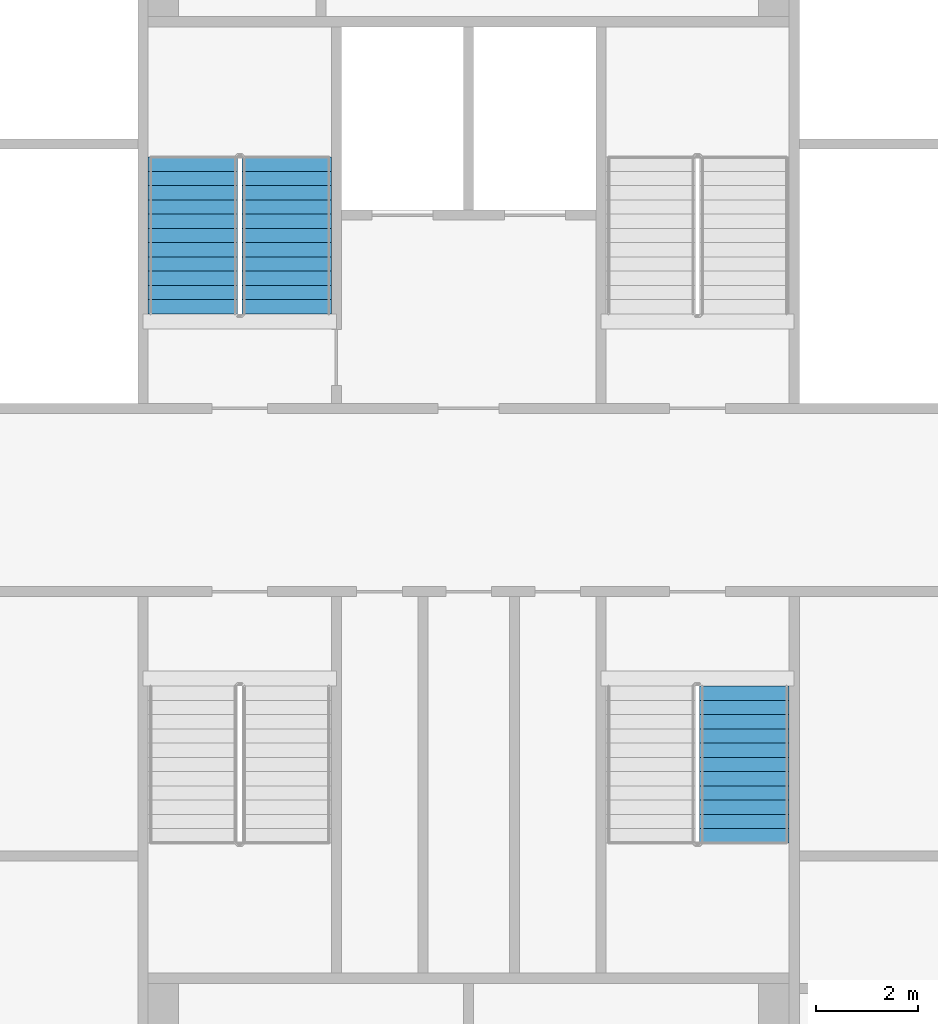
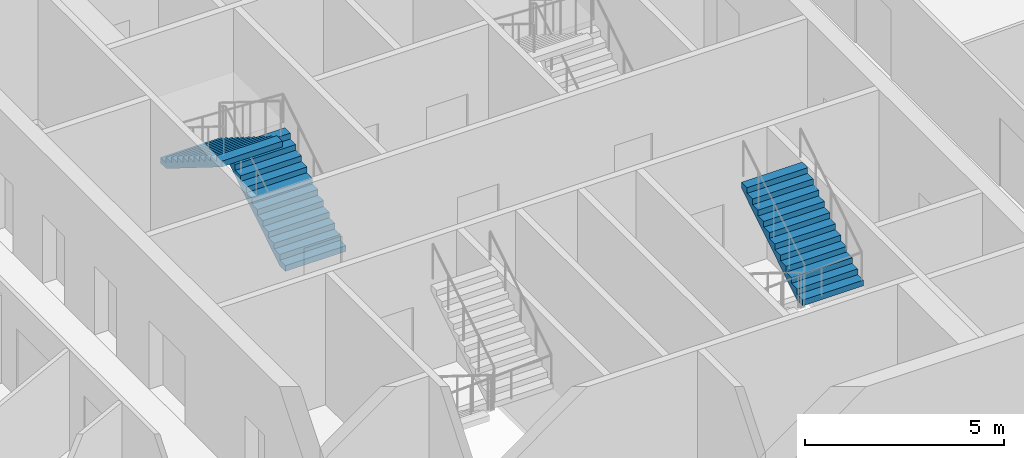
# One storey, part 30 of 36: 3 stair flights, 2 elements without a shape of their own.
"""IFC4 building model written with IfcOpenShell, lengths in metres."""

from ifc_helpers import new_model, si_unit, direction, frame, origin, place, context, subcontext, project, spatial, faceted_brep, material, type_object, element, aggregate, save


model = new_model("IFC4")

# Units and contexts
model_context = context("Model", 3, precision=1e-05, world=origin(), true_north=direction((0.0, 1.0)))
body_context = subcontext(model_context, "Body", "Model", "MODEL_VIEW")
ifc_project = project(units=[si_unit("LENGTHUNIT", "METRE"), si_unit("AREAUNIT", "SQUARE_METRE"), si_unit("VOLUMEUNIT", "CUBIC_METRE"), si_unit("PLANEANGLEUNIT", "RADIAN"), si_unit("MASSUNIT", "GRAM", prefix="KILO")], contexts=[model_context])

# Site, building, storey
site_placement = place(None, origin())
site = spatial("IfcSite", under=ifc_project, at=site_placement, CompositionType="ELEMENT")
building_placement = place(site_placement, origin())
building = spatial("IfcBuilding", under=site, at=building_placement, Name="Tarsis Ring Headquarters", CompositionType="ELEMENT")
storey_placement = place(building_placement, frame((0.0, 0.0, 386.0)))
storey = spatial("IfcBuildingStorey", under=building, at=storey_placement, Name="L91", CompositionType="ELEMENT", Elevation=386.0)

# Stair, stair flights
ifc_material_1 = material(Name="Core stair 1760")
stair_type = type_object("IfcStairType", Name="Core stair 1760", PredefinedType="HALF_TURN_STAIR", material=ifc_material_1)
stair_1_placement = place(storey_placement, origin())
stair_1 = element("IfcStair", 1, at=stair_1_placement, inside=storey, type_object=stair_type, Name="L91 Firefighting stair", PredefinedType="HALF_TURN_STAIR")
ifc_material_2 = material(Name="Concrete C40/50", Category="concrete")
stair_flight_type = type_object("IfcStairFlightType", Name="Core stair flight 1760", PredefinedType="STRAIGHT", material=ifc_material_2)
stair_flight_1_placement = place(storey_placement, frame((-3.580078125, 3.659912109375, 0.0), z_axis=(0.0, 0.0, 1.0), x_axis=(0.0, 1.0, 0.0)))
stair_flight_1 = element("IfcStairFlight", 2, at=stair_flight_1_placement, type_object=stair_flight_type, Name="Stair ST1 flight 1", NumberOfRisers=12, NumberOfTreads=11, PredefinedType="STRAIGHT", RiserHeight=0.175, TreadLength=0.28, context=body_context, shape_type="Brep", body=[
    faceted_brep([(0.0, 0.8798828125, 0.0), (0.0, 0.8798828125, 0.175048828125), (0.280029296875, 0.8798828125, 0.175048828125), (0.280029296875, 0.8798828125, 0.35009765625), (0.56005859375, 0.8798828125, 0.35009765625), (0.56005859375, 0.8798828125, 0.52490234375), (0.840087890625, 0.8798828125, 0.52490234375), (0.840087890625, 0.8798828125, 0.699951171875), (1.1201171875, 0.8798828125, 0.699951171875), (1.1201171875, 0.8798828125, 0.875), (1.39990234375, 0.8798828125, 0.875), (1.39990234375, 0.8798828125, 1.050048828125), (1.679931640625, 0.8798828125, 1.050048828125), (1.679931640625, 0.8798828125, 1.22509765625), (1.9599609375, 0.8798828125, 1.22509765625), (1.9599609375, 0.8798828125, 1.39990234375), (2.239990234375, 0.8798828125, 1.39990234375), (2.239990234375, 0.8798828125, 1.574951171875), (2.52001953125, 0.8798828125, 1.574951171875), (2.52001953125, 0.8798828125, 1.75), (2.800048828125, 0.8798828125, 1.75), (2.800048828125, 0.8798828125, 1.925048828125), (3.080078125, 0.8798828125, 1.925048828125), (3.080078125, 0.8798828125, 1.748291015625), (0.28271484375, 0.8798828125, 0.0), (0.28271484375, -0.8798828125, 0.0), (3.080078125, -0.8798828125, 1.748291015625), (3.080078125, -0.8798828125, 1.925048828125), (2.800048828125, -0.8798828125, 1.925048828125), (2.800048828125, -0.8798828125, 1.75), (2.52001953125, -0.8798828125, 1.75), (2.52001953125, -0.8798828125, 1.574951171875), (2.239990234375, -0.8798828125, 1.574951171875), (2.239990234375, -0.8798828125, 1.39990234375), (1.9599609375, -0.8798828125, 1.39990234375), (1.9599609375, -0.8798828125, 1.22509765625), (1.679931640625, -0.8798828125, 1.22509765625), (1.679931640625, -0.8798828125, 1.050048828125), (1.39990234375, -0.8798828125, 1.050048828125), (1.39990234375, -0.8798828125, 0.875), (1.1201171875, -0.8798828125, 0.875), (1.1201171875, -0.8798828125, 0.699951171875), (0.840087890625, -0.8798828125, 0.699951171875), (0.840087890625, -0.8798828125, 0.52490234375), (0.56005859375, -0.8798828125, 0.52490234375), (0.56005859375, -0.8798828125, 0.35009765625), (0.280029296875, -0.8798828125, 0.35009765625), (0.280029296875, -0.8798828125, 0.175048828125), (0.0, -0.8798828125, 0.175048828125), (0.0, -0.8798828125, 0.0), (0.0, -0.43994140625, 0.175048828125), (0.0, -0.43994140625, 0.0), (0.0, 0.0, 0.175048828125), (0.0, 0.0, 0.0), (0.0, 0.43994140625, 0.175048828125), (0.0, 0.43994140625, 0.0), (0.280029296875, -0.43994140625, 0.175048828125), (0.280029296875, 0.0, 0.175048828125), (0.280029296875, 0.43994140625, 0.175048828125), (0.280029296875, -0.43994140625, 0.35009765625), (0.280029296875, 0.0, 0.35009765625), (0.280029296875, 0.43994140625, 0.35009765625), (0.56005859375, -0.43994140625, 0.35009765625), (0.56005859375, 0.0, 0.35009765625), (0.56005859375, 0.43994140625, 0.35009765625), (0.56005859375, -0.43994140625, 0.52490234375), (0.56005859375, 0.0, 0.52490234375), (0.56005859375, 0.43994140625, 0.52490234375), (0.840087890625, -0.43994140625, 0.52490234375), (0.840087890625, 0.0, 0.52490234375), (0.840087890625, 0.43994140625, 0.52490234375), (0.840087890625, -0.43994140625, 0.699951171875), (0.840087890625, 0.0, 0.699951171875), (0.840087890625, 0.43994140625, 0.699951171875), (1.1201171875, -0.43994140625, 0.699951171875), (1.1201171875, 0.0, 0.699951171875), (1.1201171875, 0.43994140625, 0.699951171875), (1.1201171875, -0.43994140625, 0.875), (1.1201171875, 0.0, 0.875), (1.1201171875, 0.43994140625, 0.875), (1.39990234375, -0.43994140625, 0.875), (1.39990234375, 0.0, 0.875), (1.39990234375, 0.43994140625, 0.875), (1.39990234375, -0.43994140625, 1.050048828125), (1.39990234375, 0.0, 1.050048828125), (1.39990234375, 0.43994140625, 1.050048828125), (1.679931640625, -0.43994140625, 1.050048828125), (1.679931640625, 0.0, 1.050048828125), (1.679931640625, 0.43994140625, 1.050048828125), (1.679931640625, -0.43994140625, 1.22509765625), (1.679931640625, 0.0, 1.22509765625), (1.679931640625, 0.43994140625, 1.22509765625), (1.9599609375, -0.43994140625, 1.22509765625), (1.9599609375, 0.0, 1.22509765625), (1.9599609375, 0.43994140625, 1.22509765625), (1.9599609375, -0.43994140625, 1.39990234375), (1.9599609375, 0.0, 1.39990234375), (1.9599609375, 0.43994140625, 1.39990234375), (2.239990234375, -0.43994140625, 1.39990234375), (2.239990234375, 0.0, 1.39990234375), (2.239990234375, 0.43994140625, 1.39990234375), (2.239990234375, -0.43994140625, 1.574951171875), (2.239990234375, 0.0, 1.574951171875), (2.239990234375, 0.43994140625, 1.574951171875), (2.52001953125, -0.43994140625, 1.574951171875), (2.52001953125, 0.0, 1.574951171875), (2.52001953125, 0.43994140625, 1.574951171875), (2.52001953125, -0.43994140625, 1.75), (2.52001953125, 0.0, 1.75), (2.52001953125, 0.43994140625, 1.75), (2.800048828125, -0.43994140625, 1.75), (2.800048828125, 0.0, 1.75), (2.800048828125, 0.43994140625, 1.75), (2.800048828125, -0.43994140625, 1.925048828125), (2.800048828125, 0.0, 1.925048828125), (2.800048828125, 0.43994140625, 1.925048828125), (3.080078125, -0.43994140625, 1.925048828125), (3.080078125, 0.0, 1.925048828125), (3.080078125, 0.43994140625, 1.925048828125), (3.080078125, -0.43994140625, 1.748291015625), (3.080078125, 0.0, 1.748291015625), (3.080078125, 0.43994140625, 1.748291015625), (0.28271484375, -0.43994140625, 0.0), (0.28271484375, 0.0, 0.0), (0.28271484375, 0.43994140625, 0.0)], [[[0, 1, 2, 3, 4, 5, 6, 7, 8, 9, 10, 11, 12, 13, 14, 15, 16, 17, 18, 19, 20, 21, 22, 23, 24]], [[25, 26, 27, 28, 29, 30, 31, 32, 33, 34, 35, 36, 37, 38, 39, 40, 41, 42, 43, 44, 45, 46, 47, 48, 49]], [[49, 48, 50, 51]], [[51, 50, 52, 53]], [[53, 52, 54, 55]], [[55, 54, 1, 0]], [[48, 47, 56, 50]], [[50, 56, 57, 52]], [[52, 57, 58, 54]], [[54, 58, 2, 1]], [[47, 46, 59, 56]], [[56, 59, 60, 57]], [[57, 60, 61, 58]], [[58, 61, 3, 2]], [[46, 45, 62, 59]], [[59, 62, 63, 60]], [[60, 63, 64, 61]], [[61, 64, 4, 3]], [[45, 44, 65, 62]], [[62, 65, 66, 63]], [[63, 66, 67, 64]], [[64, 67, 5, 4]], [[44, 43, 68, 65]], [[65, 68, 69, 66]], [[66, 69, 70, 67]], [[67, 70, 6, 5]], [[43, 42, 71, 68]], [[68, 71, 72, 69]], [[69, 72, 73, 70]], [[70, 73, 7, 6]], [[42, 41, 74, 71]], [[71, 74, 75, 72]], [[72, 75, 76, 73]], [[73, 76, 8, 7]], [[41, 40, 77, 74]], [[74, 77, 78, 75]], [[75, 78, 79, 76]], [[76, 79, 9, 8]], [[40, 39, 80, 77]], [[77, 80, 81, 78]], [[78, 81, 82, 79]], [[79, 82, 10, 9]], [[39, 38, 83, 80]], [[80, 83, 84, 81]], [[81, 84, 85, 82]], [[82, 85, 11, 10]], [[38, 37, 86, 83]], [[83, 86, 87, 84]], [[84, 87, 88, 85]], [[85, 88, 12, 11]], [[37, 36, 89, 86]], [[86, 89, 90, 87]], [[87, 90, 91, 88]], [[88, 91, 13, 12]], [[36, 35, 92, 89]], [[89, 92, 93, 90]], [[90, 93, 94, 91]], [[91, 94, 14, 13]], [[35, 34, 95, 92]], [[92, 95, 96, 93]], [[93, 96, 97, 94]], [[94, 97, 15, 14]], [[34, 33, 98, 95]], [[95, 98, 99, 96]], [[96, 99, 100, 97]], [[97, 100, 16, 15]], [[33, 32, 101, 98]], [[98, 101, 102, 99]], [[99, 102, 103, 100]], [[100, 103, 17, 16]], [[32, 31, 104, 101]], [[101, 104, 105, 102]], [[102, 105, 106, 103]], [[103, 106, 18, 17]], [[31, 30, 107, 104]], [[104, 107, 108, 105]], [[105, 108, 109, 106]], [[106, 109, 19, 18]], [[30, 29, 110, 107]], [[107, 110, 111, 108]], [[108, 111, 112, 109]], [[109, 112, 20, 19]], [[29, 28, 113, 110]], [[110, 113, 114, 111]], [[111, 114, 115, 112]], [[112, 115, 21, 20]], [[28, 27, 116, 113]], [[113, 116, 117, 114]], [[114, 117, 118, 115]], [[115, 118, 22, 21]], [[27, 26, 119, 116]], [[116, 119, 120, 117]], [[117, 120, 121, 118]], [[118, 121, 23, 22]], [[26, 25, 122, 119]], [[119, 122, 123, 120]], [[120, 123, 124, 121]], [[121, 124, 24, 23]], [[25, 49, 51, 122]], [[122, 51, 53, 123]], [[123, 53, 55, 124]], [[124, 55, 0, 24]]]),
])
stair_flight_2_placement = place(storey_placement, frame((-5.419921875, 6.739990234375, 2.10009765625), z_axis=(0.0, 0.0, 1.0), x_axis=(0.0, -1.0, 0.0)))
stair_flight_2 = element("IfcStairFlight", 3, at=stair_flight_2_placement, type_object=stair_flight_type, Name="Stair ST1 flight 2", NumberOfRisers=12, NumberOfTreads=11, PredefinedType="STRAIGHT", RiserHeight=0.175, TreadLength=0.28, context=body_context, shape_type="Brep", body=[
    faceted_brep([(0.0, 0.8798828125, 0.0), (0.0, 0.8798828125, 0.175048828125), (0.280029296875, 0.8798828125, 0.175048828125), (0.280029296875, 0.8798828125, 0.35009765625), (0.56005859375, 0.8798828125, 0.35009765625), (0.56005859375, 0.8798828125, 0.52490234375), (0.840087890625, 0.8798828125, 0.52490234375), (0.840087890625, 0.8798828125, 0.699951171875), (1.1201171875, 0.8798828125, 0.699951171875), (1.1201171875, 0.8798828125, 0.875), (1.39990234375, 0.8798828125, 0.875), (1.39990234375, 0.8798828125, 1.050048828125), (1.679931640625, 0.8798828125, 1.050048828125), (1.679931640625, 0.8798828125, 1.22509765625), (1.9599609375, 0.8798828125, 1.22509765625), (1.9599609375, 0.8798828125, 1.39990234375), (2.239990234375, 0.8798828125, 1.39990234375), (2.239990234375, 0.8798828125, 1.574951171875), (2.52001953125, 0.8798828125, 1.574951171875), (2.52001953125, 0.8798828125, 1.75), (2.800048828125, 0.8798828125, 1.75), (2.800048828125, 0.8798828125, 1.925048828125), (3.080078125, 0.8798828125, 1.925048828125), (3.080078125, 0.8798828125, 1.748291015625), (0.28271484375, 0.8798828125, 0.0), (0.28271484375, -0.8798828125, 0.0), (3.080078125, -0.8798828125, 1.748291015625), (3.080078125, -0.8798828125, 1.925048828125), (2.800048828125, -0.8798828125, 1.925048828125), (2.800048828125, -0.8798828125, 1.75), (2.52001953125, -0.8798828125, 1.75), (2.52001953125, -0.8798828125, 1.574951171875), (2.239990234375, -0.8798828125, 1.574951171875), (2.239990234375, -0.8798828125, 1.39990234375), (1.9599609375, -0.8798828125, 1.39990234375), (1.9599609375, -0.8798828125, 1.22509765625), (1.679931640625, -0.8798828125, 1.22509765625), (1.679931640625, -0.8798828125, 1.050048828125), (1.39990234375, -0.8798828125, 1.050048828125), (1.39990234375, -0.8798828125, 0.875), (1.1201171875, -0.8798828125, 0.875), (1.1201171875, -0.8798828125, 0.699951171875), (0.840087890625, -0.8798828125, 0.699951171875), (0.840087890625, -0.8798828125, 0.52490234375), (0.56005859375, -0.8798828125, 0.52490234375), (0.56005859375, -0.8798828125, 0.35009765625), (0.280029296875, -0.8798828125, 0.35009765625), (0.280029296875, -0.8798828125, 0.175048828125), (0.0, -0.8798828125, 0.175048828125), (0.0, -0.8798828125, 0.0), (0.0, -0.43994140625, 0.175048828125), (0.0, -0.43994140625, 0.0), (0.0, 0.0, 0.175048828125), (0.0, 0.0, 0.0), (0.0, 0.43994140625, 0.175048828125), (0.0, 0.43994140625, 0.0), (0.280029296875, -0.43994140625, 0.175048828125), (0.280029296875, 0.0, 0.175048828125), (0.280029296875, 0.43994140625, 0.175048828125), (0.280029296875, -0.43994140625, 0.35009765625), (0.280029296875, 0.0, 0.35009765625), (0.280029296875, 0.43994140625, 0.35009765625), (0.56005859375, -0.43994140625, 0.35009765625), (0.56005859375, 0.0, 0.35009765625), (0.56005859375, 0.43994140625, 0.35009765625), (0.56005859375, -0.43994140625, 0.52490234375), (0.56005859375, 0.0, 0.52490234375), (0.56005859375, 0.43994140625, 0.52490234375), (0.840087890625, -0.43994140625, 0.52490234375), (0.840087890625, 0.0, 0.52490234375), (0.840087890625, 0.43994140625, 0.52490234375), (0.840087890625, -0.43994140625, 0.699951171875), (0.840087890625, 0.0, 0.699951171875), (0.840087890625, 0.43994140625, 0.699951171875), (1.1201171875, -0.43994140625, 0.699951171875), (1.1201171875, 0.0, 0.699951171875), (1.1201171875, 0.43994140625, 0.699951171875), (1.1201171875, -0.43994140625, 0.875), (1.1201171875, 0.0, 0.875), (1.1201171875, 0.43994140625, 0.875), (1.39990234375, -0.43994140625, 0.875), (1.39990234375, 0.0, 0.875), (1.39990234375, 0.43994140625, 0.875), (1.39990234375, -0.43994140625, 1.050048828125), (1.39990234375, 0.0, 1.050048828125), (1.39990234375, 0.43994140625, 1.050048828125), (1.679931640625, -0.43994140625, 1.050048828125), (1.679931640625, 0.0, 1.050048828125), (1.679931640625, 0.43994140625, 1.050048828125), (1.679931640625, -0.43994140625, 1.22509765625), (1.679931640625, 0.0, 1.22509765625), (1.679931640625, 0.43994140625, 1.22509765625), (1.9599609375, -0.43994140625, 1.22509765625), (1.9599609375, 0.0, 1.22509765625), (1.9599609375, 0.43994140625, 1.22509765625), (1.9599609375, -0.43994140625, 1.39990234375), (1.9599609375, 0.0, 1.39990234375), (1.9599609375, 0.43994140625, 1.39990234375), (2.239990234375, -0.43994140625, 1.39990234375), (2.239990234375, 0.0, 1.39990234375), (2.239990234375, 0.43994140625, 1.39990234375), (2.239990234375, -0.43994140625, 1.574951171875), (2.239990234375, 0.0, 1.574951171875), (2.239990234375, 0.43994140625, 1.574951171875), (2.52001953125, -0.43994140625, 1.574951171875), (2.52001953125, 0.0, 1.574951171875), (2.52001953125, 0.43994140625, 1.574951171875), (2.52001953125, -0.43994140625, 1.75), (2.52001953125, 0.0, 1.75), (2.52001953125, 0.43994140625, 1.75), (2.800048828125, -0.43994140625, 1.75), (2.800048828125, 0.0, 1.75), (2.800048828125, 0.43994140625, 1.75), (2.800048828125, -0.43994140625, 1.925048828125), (2.800048828125, 0.0, 1.925048828125), (2.800048828125, 0.43994140625, 1.925048828125), (3.080078125, -0.43994140625, 1.925048828125), (3.080078125, 0.0, 1.925048828125), (3.080078125, 0.43994140625, 1.925048828125), (3.080078125, -0.43994140625, 1.748291015625), (3.080078125, 0.0, 1.748291015625), (3.080078125, 0.43994140625, 1.748291015625), (0.28271484375, -0.43994140625, 0.0), (0.28271484375, 0.0, 0.0), (0.28271484375, 0.43994140625, 0.0)], [[[0, 1, 2, 3, 4, 5, 6, 7, 8, 9, 10, 11, 12, 13, 14, 15, 16, 17, 18, 19, 20, 21, 22, 23, 24]], [[25, 26, 27, 28, 29, 30, 31, 32, 33, 34, 35, 36, 37, 38, 39, 40, 41, 42, 43, 44, 45, 46, 47, 48, 49]], [[49, 48, 50, 51]], [[51, 50, 52, 53]], [[53, 52, 54, 55]], [[55, 54, 1, 0]], [[48, 47, 56, 50]], [[50, 56, 57, 52]], [[52, 57, 58, 54]], [[54, 58, 2, 1]], [[47, 46, 59, 56]], [[56, 59, 60, 57]], [[57, 60, 61, 58]], [[58, 61, 3, 2]], [[46, 45, 62, 59]], [[59, 62, 63, 60]], [[60, 63, 64, 61]], [[61, 64, 4, 3]], [[45, 44, 65, 62]], [[62, 65, 66, 63]], [[63, 66, 67, 64]], [[64, 67, 5, 4]], [[44, 43, 68, 65]], [[65, 68, 69, 66]], [[66, 69, 70, 67]], [[67, 70, 6, 5]], [[43, 42, 71, 68]], [[68, 71, 72, 69]], [[69, 72, 73, 70]], [[70, 73, 7, 6]], [[42, 41, 74, 71]], [[71, 74, 75, 72]], [[72, 75, 76, 73]], [[73, 76, 8, 7]], [[41, 40, 77, 74]], [[74, 77, 78, 75]], [[75, 78, 79, 76]], [[76, 79, 9, 8]], [[40, 39, 80, 77]], [[77, 80, 81, 78]], [[78, 81, 82, 79]], [[79, 82, 10, 9]], [[39, 38, 83, 80]], [[80, 83, 84, 81]], [[81, 84, 85, 82]], [[82, 85, 11, 10]], [[38, 37, 86, 83]], [[83, 86, 87, 84]], [[84, 87, 88, 85]], [[85, 88, 12, 11]], [[37, 36, 89, 86]], [[86, 89, 90, 87]], [[87, 90, 91, 88]], [[88, 91, 13, 12]], [[36, 35, 92, 89]], [[89, 92, 93, 90]], [[90, 93, 94, 91]], [[91, 94, 14, 13]], [[35, 34, 95, 92]], [[92, 95, 96, 93]], [[93, 96, 97, 94]], [[94, 97, 15, 14]], [[34, 33, 98, 95]], [[95, 98, 99, 96]], [[96, 99, 100, 97]], [[97, 100, 16, 15]], [[33, 32, 101, 98]], [[98, 101, 102, 99]], [[99, 102, 103, 100]], [[100, 103, 17, 16]], [[32, 31, 104, 101]], [[101, 104, 105, 102]], [[102, 105, 106, 103]], [[103, 106, 18, 17]], [[31, 30, 107, 104]], [[104, 107, 108, 105]], [[105, 108, 109, 106]], [[106, 109, 19, 18]], [[30, 29, 110, 107]], [[107, 110, 111, 108]], [[108, 111, 112, 109]], [[109, 112, 20, 19]], [[29, 28, 113, 110]], [[110, 113, 114, 111]], [[111, 114, 115, 112]], [[112, 115, 21, 20]], [[28, 27, 116, 113]], [[113, 116, 117, 114]], [[114, 117, 118, 115]], [[115, 118, 22, 21]], [[27, 26, 119, 116]], [[116, 119, 120, 117]], [[117, 120, 121, 118]], [[118, 121, 23, 22]], [[26, 25, 122, 119]], [[119, 122, 123, 120]], [[120, 123, 124, 121]], [[121, 124, 24, 23]], [[25, 49, 51, 122]], [[122, 51, 53, 123]], [[123, 53, 55, 124]], [[124, 55, 0, 24]]]),
])
aggregate(stair_1, [stair_flight_1, stair_flight_2])

# Stair, stair flight
stair_2_placement = place(storey_placement, origin())
stair_2 = element("IfcStair", 4, at=stair_2_placement, inside=storey, type_object=stair_type, Name="L91 Exit stair D", PredefinedType="HALF_TURN_STAIR")
stair_flight_3_placement = place(storey_placement, frame((5.419921875, -6.739990234375, 2.10009765625), z_axis=(0.0, 0.0, 1.0), x_axis=(0.0, 1.0, 0.0)))
stair_flight_3 = element("IfcStairFlight", 5, at=stair_flight_3_placement, type_object=stair_flight_type, Name="Stair ST4 flight 2", NumberOfRisers=12, NumberOfTreads=11, PredefinedType="STRAIGHT", RiserHeight=0.175, TreadLength=0.28, context=body_context, shape_type="Brep", body=[
    faceted_brep([(0.0, 0.8798828125, 0.0), (0.0, 0.8798828125, 0.175048828125), (0.280029296875, 0.8798828125, 0.175048828125), (0.280029296875, 0.8798828125, 0.35009765625), (0.56005859375, 0.8798828125, 0.35009765625), (0.56005859375, 0.8798828125, 0.52490234375), (0.840087890625, 0.8798828125, 0.52490234375), (0.840087890625, 0.8798828125, 0.699951171875), (1.1201171875, 0.8798828125, 0.699951171875), (1.1201171875, 0.8798828125, 0.875), (1.39990234375, 0.8798828125, 0.875), (1.39990234375, 0.8798828125, 1.050048828125), (1.679931640625, 0.8798828125, 1.050048828125), (1.679931640625, 0.8798828125, 1.22509765625), (1.9599609375, 0.8798828125, 1.22509765625), (1.9599609375, 0.8798828125, 1.39990234375), (2.239990234375, 0.8798828125, 1.39990234375), (2.239990234375, 0.8798828125, 1.574951171875), (2.52001953125, 0.8798828125, 1.574951171875), (2.52001953125, 0.8798828125, 1.75), (2.800048828125, 0.8798828125, 1.75), (2.800048828125, 0.8798828125, 1.925048828125), (3.080078125, 0.8798828125, 1.925048828125), (3.080078125, 0.8798828125, 1.748291015625), (0.28271484375, 0.8798828125, 0.0), (0.28271484375, -0.8798828125, 0.0), (3.080078125, -0.8798828125, 1.748291015625), (3.080078125, -0.8798828125, 1.925048828125), (2.800048828125, -0.8798828125, 1.925048828125), (2.800048828125, -0.8798828125, 1.75), (2.52001953125, -0.8798828125, 1.75), (2.52001953125, -0.8798828125, 1.574951171875), (2.239990234375, -0.8798828125, 1.574951171875), (2.239990234375, -0.8798828125, 1.39990234375), (1.9599609375, -0.8798828125, 1.39990234375), (1.9599609375, -0.8798828125, 1.22509765625), (1.679931640625, -0.8798828125, 1.22509765625), (1.679931640625, -0.8798828125, 1.050048828125), (1.39990234375, -0.8798828125, 1.050048828125), (1.39990234375, -0.8798828125, 0.875), (1.1201171875, -0.8798828125, 0.875), (1.1201171875, -0.8798828125, 0.699951171875), (0.840087890625, -0.8798828125, 0.699951171875), (0.840087890625, -0.8798828125, 0.52490234375), (0.56005859375, -0.8798828125, 0.52490234375), (0.56005859375, -0.8798828125, 0.35009765625), (0.280029296875, -0.8798828125, 0.35009765625), (0.280029296875, -0.8798828125, 0.175048828125), (0.0, -0.8798828125, 0.175048828125), (0.0, -0.8798828125, 0.0), (0.0, -0.43994140625, 0.175048828125), (0.0, -0.43994140625, 0.0), (0.0, 0.0, 0.175048828125), (0.0, 0.0, 0.0), (0.0, 0.43994140625, 0.175048828125), (0.0, 0.43994140625, 0.0), (0.280029296875, -0.43994140625, 0.175048828125), (0.280029296875, 0.0, 0.175048828125), (0.280029296875, 0.43994140625, 0.175048828125), (0.280029296875, -0.43994140625, 0.35009765625), (0.280029296875, 0.0, 0.35009765625), (0.280029296875, 0.43994140625, 0.35009765625), (0.56005859375, -0.43994140625, 0.35009765625), (0.56005859375, 0.0, 0.35009765625), (0.56005859375, 0.43994140625, 0.35009765625), (0.56005859375, -0.43994140625, 0.52490234375), (0.56005859375, 0.0, 0.52490234375), (0.56005859375, 0.43994140625, 0.52490234375), (0.840087890625, -0.43994140625, 0.52490234375), (0.840087890625, 0.0, 0.52490234375), (0.840087890625, 0.43994140625, 0.52490234375), (0.840087890625, -0.43994140625, 0.699951171875), (0.840087890625, 0.0, 0.699951171875), (0.840087890625, 0.43994140625, 0.699951171875), (1.1201171875, -0.43994140625, 0.699951171875), (1.1201171875, 0.0, 0.699951171875), (1.1201171875, 0.43994140625, 0.699951171875), (1.1201171875, -0.43994140625, 0.875), (1.1201171875, 0.0, 0.875), (1.1201171875, 0.43994140625, 0.875), (1.39990234375, -0.43994140625, 0.875), (1.39990234375, 0.0, 0.875), (1.39990234375, 0.43994140625, 0.875), (1.39990234375, -0.43994140625, 1.050048828125), (1.39990234375, 0.0, 1.050048828125), (1.39990234375, 0.43994140625, 1.050048828125), (1.679931640625, -0.43994140625, 1.050048828125), (1.679931640625, 0.0, 1.050048828125), (1.679931640625, 0.43994140625, 1.050048828125), (1.679931640625, -0.43994140625, 1.22509765625), (1.679931640625, 0.0, 1.22509765625), (1.679931640625, 0.43994140625, 1.22509765625), (1.9599609375, -0.43994140625, 1.22509765625), (1.9599609375, 0.0, 1.22509765625), (1.9599609375, 0.43994140625, 1.22509765625), (1.9599609375, -0.43994140625, 1.39990234375), (1.9599609375, 0.0, 1.39990234375), (1.9599609375, 0.43994140625, 1.39990234375), (2.239990234375, -0.43994140625, 1.39990234375), (2.239990234375, 0.0, 1.39990234375), (2.239990234375, 0.43994140625, 1.39990234375), (2.239990234375, -0.43994140625, 1.574951171875), (2.239990234375, 0.0, 1.574951171875), (2.239990234375, 0.43994140625, 1.574951171875), (2.52001953125, -0.43994140625, 1.574951171875), (2.52001953125, 0.0, 1.574951171875), (2.52001953125, 0.43994140625, 1.574951171875), (2.52001953125, -0.43994140625, 1.75), (2.52001953125, 0.0, 1.75), (2.52001953125, 0.43994140625, 1.75), (2.800048828125, -0.43994140625, 1.75), (2.800048828125, 0.0, 1.75), (2.800048828125, 0.43994140625, 1.75), (2.800048828125, -0.43994140625, 1.925048828125), (2.800048828125, 0.0, 1.925048828125), (2.800048828125, 0.43994140625, 1.925048828125), (3.080078125, -0.43994140625, 1.925048828125), (3.080078125, 0.0, 1.925048828125), (3.080078125, 0.43994140625, 1.925048828125), (3.080078125, -0.43994140625, 1.748291015625), (3.080078125, 0.0, 1.748291015625), (3.080078125, 0.43994140625, 1.748291015625), (0.28271484375, -0.43994140625, 0.0), (0.28271484375, 0.0, 0.0), (0.28271484375, 0.43994140625, 0.0)], [[[0, 1, 2, 3, 4, 5, 6, 7, 8, 9, 10, 11, 12, 13, 14, 15, 16, 17, 18, 19, 20, 21, 22, 23, 24]], [[25, 26, 27, 28, 29, 30, 31, 32, 33, 34, 35, 36, 37, 38, 39, 40, 41, 42, 43, 44, 45, 46, 47, 48, 49]], [[49, 48, 50, 51]], [[51, 50, 52, 53]], [[53, 52, 54, 55]], [[55, 54, 1, 0]], [[48, 47, 56, 50]], [[50, 56, 57, 52]], [[52, 57, 58, 54]], [[54, 58, 2, 1]], [[47, 46, 59, 56]], [[56, 59, 60, 57]], [[57, 60, 61, 58]], [[58, 61, 3, 2]], [[46, 45, 62, 59]], [[59, 62, 63, 60]], [[60, 63, 64, 61]], [[61, 64, 4, 3]], [[45, 44, 65, 62]], [[62, 65, 66, 63]], [[63, 66, 67, 64]], [[64, 67, 5, 4]], [[44, 43, 68, 65]], [[65, 68, 69, 66]], [[66, 69, 70, 67]], [[67, 70, 6, 5]], [[43, 42, 71, 68]], [[68, 71, 72, 69]], [[69, 72, 73, 70]], [[70, 73, 7, 6]], [[42, 41, 74, 71]], [[71, 74, 75, 72]], [[72, 75, 76, 73]], [[73, 76, 8, 7]], [[41, 40, 77, 74]], [[74, 77, 78, 75]], [[75, 78, 79, 76]], [[76, 79, 9, 8]], [[40, 39, 80, 77]], [[77, 80, 81, 78]], [[78, 81, 82, 79]], [[79, 82, 10, 9]], [[39, 38, 83, 80]], [[80, 83, 84, 81]], [[81, 84, 85, 82]], [[82, 85, 11, 10]], [[38, 37, 86, 83]], [[83, 86, 87, 84]], [[84, 87, 88, 85]], [[85, 88, 12, 11]], [[37, 36, 89, 86]], [[86, 89, 90, 87]], [[87, 90, 91, 88]], [[88, 91, 13, 12]], [[36, 35, 92, 89]], [[89, 92, 93, 90]], [[90, 93, 94, 91]], [[91, 94, 14, 13]], [[35, 34, 95, 92]], [[92, 95, 96, 93]], [[93, 96, 97, 94]], [[94, 97, 15, 14]], [[34, 33, 98, 95]], [[95, 98, 99, 96]], [[96, 99, 100, 97]], [[97, 100, 16, 15]], [[33, 32, 101, 98]], [[98, 101, 102, 99]], [[99, 102, 103, 100]], [[100, 103, 17, 16]], [[32, 31, 104, 101]], [[101, 104, 105, 102]], [[102, 105, 106, 103]], [[103, 106, 18, 17]], [[31, 30, 107, 104]], [[104, 107, 108, 105]], [[105, 108, 109, 106]], [[106, 109, 19, 18]], [[30, 29, 110, 107]], [[107, 110, 111, 108]], [[108, 111, 112, 109]], [[109, 112, 20, 19]], [[29, 28, 113, 110]], [[110, 113, 114, 111]], [[111, 114, 115, 112]], [[112, 115, 21, 20]], [[28, 27, 116, 113]], [[113, 116, 117, 114]], [[114, 117, 118, 115]], [[115, 118, 22, 21]], [[27, 26, 119, 116]], [[116, 119, 120, 117]], [[117, 120, 121, 118]], [[118, 121, 23, 22]], [[26, 25, 122, 119]], [[119, 122, 123, 120]], [[120, 123, 124, 121]], [[121, 124, 24, 23]], [[25, 49, 51, 122]], [[122, 51, 53, 123]], [[123, 53, 55, 124]], [[124, 55, 0, 24]]]),
])
aggregate(stair_2, [stair_flight_3])

save(model, "model.ifc")
